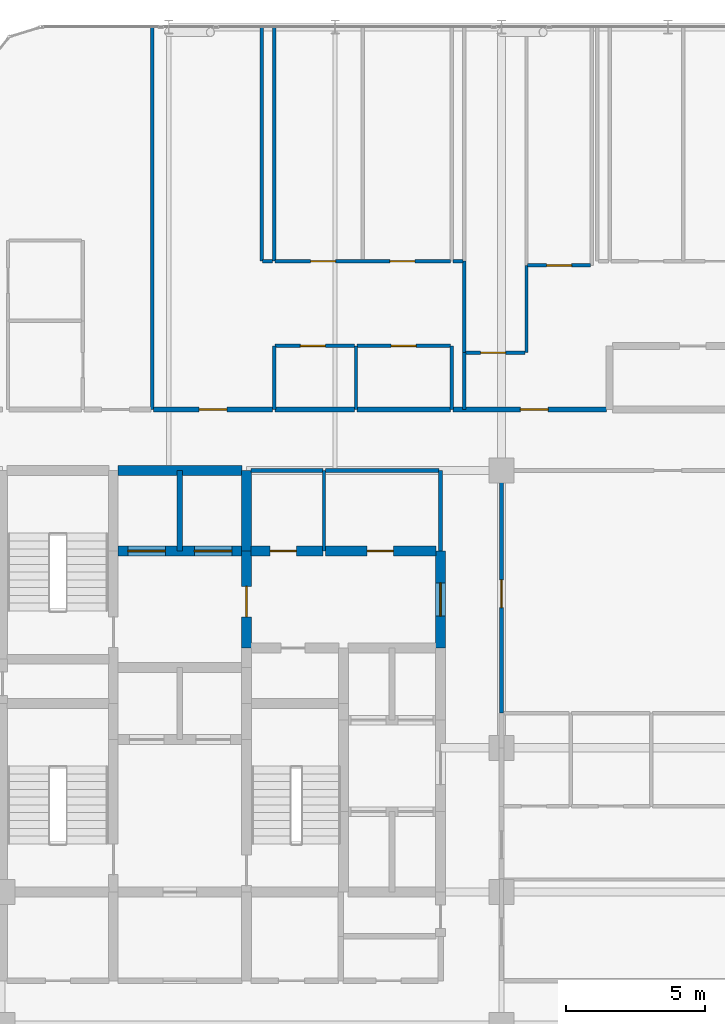
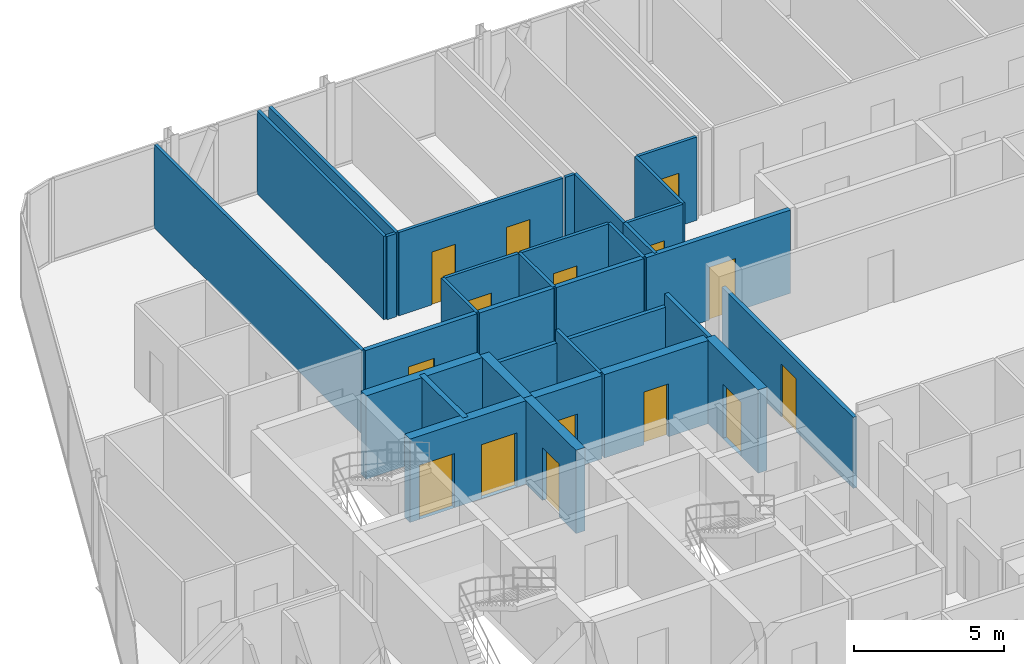
# One storey, part 29 of 32: 33 walls, 15 doors, 15 openings.
"""IFC4 building model written with IfcOpenShell, lengths in metres."""

import ifcopenshell
import ifcopenshell.guid

model = None  # the IFC model being written
_history = None  # IfcOwnerHistory: only IFC2X3 demands one
_inside = {}  # id of a spatial element -> (the spatial element, [elements in it])
_under = {}  # id of a project, library or spatial element -> (it, [spatial elements below it])
_declared = {}  # id of a project -> (the project, [libraries it declares])
_typed = {}  # id of a type object -> (the type object, [elements of that type])
_made_of = {}  # id of a material, layer set ... -> (it, [elements and type objects made of it])


def new_model(schema):
    """Start an empty IFC model of exactly this schema.

    Asked for "IFC4X3", IfcOpenShell would pick the latest addendum, in which some entities
    have other attributes; the version numbers below select the first issue.
    IFC2X3 requires an IfcOwnerHistory on every rooted entity: one is made here for all.
    """
    global model, _history
    if schema == "IFC4X3":
        model = ifcopenshell.file(schema_version=(4, 3, 0, 0))
    else:
        model = ifcopenshell.file(schema=schema)
    _inside.clear()
    _under.clear()
    _declared.clear()
    _typed.clear()
    _made_of.clear()
    _history = None
    if model.schema == "IFC2X3":
        org = make("IfcOrganization", Name="unknown")
        user = make(
            "IfcPersonAndOrganization",
            ThePerson=make("IfcPerson", FamilyName="unknown"),
            TheOrganization=org,
        )
        app = make(
            "IfcApplication",
            ApplicationDeveloper=org,
            Version="unknown",
            ApplicationFullName="unknown",
            ApplicationIdentifier="unknown",
        )
        _history = make(
            "IfcOwnerHistory",
            OwningUser=user,
            OwningApplication=app,
            ChangeAction="ADDED",
            CreationDate=0,
        )
    return model


def make(cls, **values):
    """One entity of the class cls with the attributes given. An attribute that is None is left unset."""
    return model.create_entity(
        cls, **{name: value for name, value in values.items() if value is not None}
    )


def rooted(cls, **values):
    """An entity with a GlobalId (a new one), such as an element, a storey or a relation."""
    return make(cls, GlobalId=ifcopenshell.guid.new(), OwnerHistory=_history, **values)


def si_unit(unit_type, name, prefix=None):
    """IfcSIUnit, for example si_unit("LENGTHUNIT", "METRE", prefix="MILLI")."""
    return make("IfcSIUnit", UnitType=unit_type, Prefix=prefix, Name=name)


def assignment(units):
    """IfcUnitAssignment: the units of a project."""
    return None if units is None else make("IfcUnitAssignment", Units=units)


def point(xyz):
    """IfcCartesianPoint."""
    return None if xyz is None else make("IfcCartesianPoint", Coordinates=xyz)


def direction(xyz):
    """IfcDirection."""
    return None if xyz is None else make("IfcDirection", DirectionRatios=xyz)


def frame(location, z_axis=None, x_axis=None):
    """IfcAxis2Placement3D, a coordinate frame: its origin and axes. An axis left out is left unset."""
    return make(
        "IfcAxis2Placement3D",
        Location=point(location),
        Axis=direction(z_axis),
        RefDirection=direction(x_axis),
    )


def frame_2d(location, x_axis=None):
    """IfcAxis2Placement2D, a coordinate frame in the plane: its origin and x axis."""
    return make(
        "IfcAxis2Placement2D", Location=point(location), RefDirection=direction(x_axis)
    )


def origin():
    """The frame at (0, 0, 0) with its axes left unset."""
    return frame((0.0, 0.0, 0.0))


def place(relative_to, where):
    """IfcLocalPlacement: puts the frame where relative to a parent placement (None: the world)."""
    return make(
        "IfcLocalPlacement", PlacementRelTo=relative_to, RelativePlacement=where
    )


def context(
    kind, dimensions, precision=None, world=None, true_north=None, identifier=None
):
    """IfcGeometricRepresentationContext, for example the 3D "Model" context."""
    return make(
        "IfcGeometricRepresentationContext",
        ContextIdentifier=identifier,
        ContextType=kind,
        CoordinateSpaceDimension=dimensions,
        Precision=precision,
        WorldCoordinateSystem=world,
        TrueNorth=true_north,
    )


def subcontext(parent, identifier, kind, view, scale=None):
    """IfcGeometricRepresentationSubContext, for example "Body" below "Model"."""
    return make(
        "IfcGeometricRepresentationSubContext",
        ContextIdentifier=identifier,
        ContextType=kind,
        ParentContext=parent,
        TargetScale=scale,
        TargetView=view,
    )


def project(units=None, contexts=None):
    """IfcProject with its units and contexts."""
    return rooted(
        "IfcProject",
        Name="project",
        RepresentationContexts=contexts,
        UnitsInContext=assignment(units),
    )


def spatial(cls, under=None, at=None, **own):
    """A site, building, storey or space (cls), placed at a placement, below another one or the project."""
    s = rooted(cls, ObjectPlacement=at, **own)
    if under is not None:
        _under.setdefault(under.id(), (under, []))[1].append(s)
    return s


def profile(cls, at=None, kind="AREA", **sizes):
    """A parametric profile (cls). Its sizes go by their IFC names, for example OverallWidth=200.0."""
    return make(cls, ProfileType=kind, Position=at, **sizes)


def rectangle(**sizes):
    """IfcRectangleProfileDef."""
    return profile("IfcRectangleProfileDef", **sizes)


def extrude(swept, where, along, depth):
    """IfcExtrudedAreaSolid: the profile swept, set in the frame where, extruded along a direction by depth."""
    return make(
        "IfcExtrudedAreaSolid",
        SweptArea=swept,
        Position=where,
        ExtrudedDirection=direction(along),
        Depth=depth,
    )


def shape(context_of_items, identifier, shape_type, items):
    """IfcShapeRepresentation: the items that make up one representation, for example the "Body"."""
    return make(
        "IfcShapeRepresentation",
        ContextOfItems=context_of_items,
        RepresentationIdentifier=identifier,
        RepresentationType=shape_type,
        Items=items,
    )


def material(Name=None, Category=None):
    """IfcMaterial."""
    return make("IfcMaterial", Name=Name, Category=Category)


def layer(
    of_material, thickness, ventilated=None, Name=None, Category=None, Priority=None
):
    """IfcMaterialLayer: one layer of a wall or slab, of a material (None: an air gap)."""
    return make(
        "IfcMaterialLayer",
        Material=of_material,
        LayerThickness=thickness,
        IsVentilated=ventilated,
        Name=Name,
        Category=Category,
        Priority=Priority,
    )


def layer_set(layers, Name=None):
    """IfcMaterialLayerSet."""
    return make("IfcMaterialLayerSet", MaterialLayers=layers, LayerSetName=Name)


def made_of(thing, what):
    """Note that an element or type object is made of a material, layer set ...; save() writes the relation."""
    if what is not None:
        _made_of.setdefault(what.id(), (what, []))[1].append(thing)
    return thing


def type_object(cls, material=None, **own):
    """A type object (cls), such as IfcWallType, which elements share."""
    return made_of(rooted(cls, **own), material)


def element(
    cls,
    number,
    at=None,
    inside=None,
    cuts=None,
    type_object=None,
    material=None,
    context=None,
    identifier="Body",
    shape_type=None,
    held_by="IfcProductDefinitionShape",
    body=None,
    shapes=None,
    **own,
):
    """One element of the class cls, such as IfcWall. Its Tag is "e" and its number.

    at: its placement. inside: the storey or other place that contains it. cuts: it is an
    opening in that element (IfcRelVoidsElement). A single representation is given by context,
    identifier, shape_type and body (its items); several are given by shapes. held_by: the class
    of the entity that holds the representations. save() writes the other relations.
    """
    e = rooted(cls, Tag="e%d" % number, ObjectPlacement=at, **own)
    if body is not None:
        shapes = [shape(context, identifier, shape_type, body)]
    if shapes is not None:
        e.Representation = make(held_by, Representations=shapes)
    if inside is not None:
        _inside.setdefault(inside.id(), (inside, []))[1].append(e)
    if cuts is not None:
        rooted(
            "IfcRelVoidsElement", RelatingBuildingElement=cuts, RelatedOpeningElement=e
        )
    if type_object is not None:
        _typed.setdefault(type_object.id(), (type_object, []))[1].append(e)
    return made_of(e, material)


def fill(opening, filler):
    """IfcRelFillsElement: the door or window that sits in an opening."""
    return rooted(
        "IfcRelFillsElement",
        RelatingOpeningElement=opening,
        RelatedBuildingElement=filler,
    )


def aggregate(whole, parts):
    """IfcRelAggregates: a whole, such as a stair, and the parts it consists of."""
    return rooted("IfcRelAggregates", RelatingObject=whole, RelatedObjects=parts)


def save(model, path):
    """Write the relations noted so far, then the file.

    IfcRelAggregates (storeys below a building ...), IfcRelContainedInSpatialStructure (elements
    in a storey), IfcRelDefinesByType, IfcRelAssociatesMaterial and IfcRelDeclares: one each for
    every whole, place, type object, material and project.
    """
    for whole, parts in _under.values():
        aggregate(whole, parts)
    for where, things in _inside.values():
        rooted(
            "IfcRelContainedInSpatialStructure",
            RelatedElements=things,
            RelatingStructure=where,
        )
    for kind, things in _typed.values():
        rooted("IfcRelDefinesByType", RelatedObjects=things, RelatingType=kind)
    for what, things in _made_of.values():
        rooted("IfcRelAssociatesMaterial", RelatedObjects=things, RelatingMaterial=what)
    for by, libraries in _declared.values():
        rooted("IfcRelDeclares", RelatingContext=by, RelatedDefinitions=libraries)
    model.write(path)


model = new_model("IFC4")

# Units and contexts
model_context = context("Model", 3, precision=1e-05, world=origin(), true_north=direction((0.0, 1.0)))
body_context = subcontext(model_context, "Body", "Model", "MODEL_VIEW")
ifc_project = project(units=[si_unit("LENGTHUNIT", "METRE"), si_unit("AREAUNIT", "SQUARE_METRE"), si_unit("VOLUMEUNIT", "CUBIC_METRE"), si_unit("PLANEANGLEUNIT", "RADIAN"), si_unit("MASSUNIT", "GRAM", prefix="KILO")], contexts=[model_context])

# Site, building, storey
site_placement = place(None, origin())
site = spatial("IfcSite", under=ifc_project, at=site_placement, CompositionType="ELEMENT")
building_placement = place(site_placement, origin())
building = spatial("IfcBuilding", under=site, at=building_placement, Name="Keshet Zoharim Tower", CompositionType="ELEMENT")
storey_placement = place(building_placement, frame((0.0, 0.0, 137.199951171875)))
storey = spatial("IfcBuildingStorey", under=building, at=storey_placement, Name="L33", CompositionType="ELEMENT", Elevation=137.199951171875)

# Wall
ifc_material_1 = material(Name="Gypsum Plasterboard", Category="gypsum")
ifc_layer_1 = layer(ifc_material_1, 0.14990234375)
ifc_layer_set_1 = layer_set([ifc_layer_1], Name="Gypsum Plasterboard")
wall_type_1 = type_object("IfcWallType", Name="WL-CLIN-150", PredefinedType="STANDARD", material=ifc_layer_set_1)
wall_1_placement = place(storey_placement, frame((30.800048828125, 35.0, 0.0), z_axis=(0.0, 0.0, 1.0), x_axis=(0.0, 1.0, 0.0)))
element("IfcWall", 1, at=wall_1_placement, inside=storey, type_object=wall_type_1, Name="L33 Interior Wall 064", PredefinedType="STANDARD", context=body_context, shape_type="SweptSolid", body=[
    extrude(rectangle(XDim=2.89990234375, YDim=0.14990234375, at=frame_2d((1.449951171875, 0.0))), origin(), (0.0, 0.0, 1.0), 3.385009765625),
])

# Wall, opening, door
wall_2_placement = place(storey_placement, frame((33.0, 29.159912109375, 0.0), z_axis=(0.0, 0.0, 1.0), x_axis=(0.0, 1.0, 0.0)))
wall_2 = element("IfcWall", 2, at=wall_2_placement, inside=storey, type_object=wall_type_1, Name="L33 Interior Wall 074", PredefinedType="STANDARD", context=body_context, shape_type="SweptSolid", body=[
    extrude(rectangle(XDim=8.739990234375, YDim=0.14990234375, at=frame_2d((4.3701171875, 0.0))), origin(), (0.0, 0.0, 1.0), 2.885009765625),
])
opening_1_placement = place(wall_2_placement, frame((3.799072265625, 0.0, 0.0)))
opening_1 = element("IfcOpeningElement", 3, at=opening_1_placement, cuts=wall_2, Name="Opening D-F310", PredefinedType="OPENING", context=body_context, shape_type="SweptSolid", body=[
    extrude(rectangle(XDim=1.0, YDim=2.14990234375, at=frame_2d((0.5, 1.074951171875))), frame((0.0, 0.0849609375, 0.0), z_axis=(0.0, -1.0, 0.0), x_axis=(1.0, 0.0, 0.0)), (0.0, 0.0, 1.0), 0.169921875),
])
ifc_material_2 = material(Name="Hardwood Timber", Category="wood")
door_type_1 = type_object("IfcDoorType", Name="DR-FD30-100", OperationType="NOTDEFINED", PredefinedType="DOOR", material=ifc_material_2)
door_1_placement = place(opening_1_placement, origin())
door_1 = element("IfcDoor", 4, at=door_1_placement, inside=storey, type_object=door_type_1, Name="L33 North East Residents Services Suite Door 2", OperationType="SINGLE_SWING_RIGHT", OverallHeight=2.14990234375, OverallWidth=1.0, PredefinedType="DOOR", context=body_context, shape_type="SweptSolid", body=[
    extrude(rectangle(XDim=1.0, YDim=2.14990234375, at=frame_2d((0.5, 1.074951171875))), frame((0.0, 0.02490234375, 0.0), z_axis=(0.0, -1.0, 0.0), x_axis=(1.0, 0.0, 0.0)), (0.0, 0.0, 1.0), 0.050048828125),
])
fill(opening_1, door_1)

# Walls
wall_3_placement = place(storey_placement, frame((23.9599609375, 37.89990234375, 0.0), z_axis=(0.0, 0.0, 1.0), x_axis=(1.0, 0.0, 0.0)))
element("IfcWall", 5, at=wall_3_placement, inside=storey, type_object=wall_type_1, Name="L33 Interior Wall 189", PredefinedType="STANDARD", context=body_context, shape_type="SweptSolid", body=[
    extrude(rectangle(XDim=2.594970703125, YDim=0.14990234375, at=frame_2d((1.29736328125, 0.0))), origin(), (0.0, 0.0, 1.0), 2.885009765625),
])
wall_4_placement = place(storey_placement, frame((26.64501953125, 37.89990234375, 0.0), z_axis=(0.0, 0.0, 1.0), x_axis=(1.0, 0.0, 0.0)))
element("IfcWall", 6, at=wall_4_placement, inside=storey, type_object=wall_type_1, Name="L33 Interior Wall 190", PredefinedType="STANDARD", context=body_context, shape_type="SweptSolid", body=[
    extrude(rectangle(XDim=4.094970703125, YDim=0.14990234375, at=frame_2d((2.04736328125, 0.0))), origin(), (0.0, 0.0, 1.0), 2.885009765625),
])

# Wall, opening, door
ifc_material_3 = material(Name="Concrete C60/75", Category="concrete")
ifc_layer_2 = layer(ifc_material_3, 0.35009765625)
ifc_layer_set_2 = layer_set([ifc_layer_2], Name="Concrete C60/75")
wall_type_2 = type_object("IfcWallType", Name="WL-CORE-350", PredefinedType="SHEAR", material=ifc_layer_set_2)
wall_5_placement = place(storey_placement, frame((23.800048828125, 31.5, 0.0), z_axis=(0.0, 0.0, 1.0), x_axis=(0.0, 1.0, 0.0)))
wall_5 = element("IfcWall", 7, at=wall_5_placement, inside=storey, type_object=wall_type_2, Name="L33 Core Shear Wall 039", PredefinedType="SHEAR", context=body_context, shape_type="SweptSolid", body=[
    extrude(rectangle(XDim=3.5, YDim=0.35009765625, at=frame_2d((1.75, 0.0))), origin(), (0.0, 0.0, 1.0), 3.385009765625),
])
opening_2_placement = place(wall_5_placement, frame((1.126953125, 0.0, 0.0)))
opening_2 = element("IfcOpeningElement", 8, at=opening_2_placement, cuts=wall_5, Name="Opening D-F611", PredefinedType="OPENING", context=body_context, shape_type="SweptSolid", body=[
    extrude(rectangle(XDim=1.10009765625, YDim=2.14990234375, at=frame_2d((0.550048828125, 1.074951171875))), frame((0.0, 0.18505859375, 0.0), z_axis=(0.0, -1.0, 0.0), x_axis=(1.0, 0.0, 0.0)), (0.0, 0.0, 1.0), 0.3701171875),
])
door_type_2 = type_object("IfcDoorType", Name="DR-FD60-110", OperationType="NOTDEFINED", PredefinedType="DOOR", material=ifc_material_2)
door_2_placement = place(opening_2_placement, origin())
door_2 = element("IfcDoor", 9, at=door_2_placement, inside=storey, type_object=door_type_2, Name="L33 Firefighting Lobby Fire Door", OperationType="SINGLE_SWING_RIGHT", OverallHeight=2.14990234375, OverallWidth=1.10009765625, PredefinedType="DOOR", context=body_context, shape_type="SweptSolid", body=[
    extrude(rectangle(XDim=1.10009765625, YDim=2.14990234375, at=frame_2d((0.550048828125, 1.074951171875))), frame((0.0, 0.02490234375, 0.0), z_axis=(0.0, -1.0, 0.0), x_axis=(1.0, 0.0, 0.0)), (0.0, 0.0, 1.0), 0.050048828125),
])
fill(opening_2, door_2)

# Wall
wall_6_placement = place(storey_placement, frame((23.800048828125, 35.0, 0.0), z_axis=(0.0, 0.0, 1.0), x_axis=(0.0, 1.0, 0.0)))
element("IfcWall", 10, at=wall_6_placement, inside=storey, type_object=wall_type_2, Name="L33 Core Shear Wall 040", PredefinedType="SHEAR", context=body_context, shape_type="SweptSolid", body=[
    extrude(rectangle(XDim=2.89990234375, YDim=0.35009765625, at=frame_2d((1.449951171875, 0.0))), origin(), (0.0, 0.0, 1.0), 3.385009765625),
])

# Wall, opening, door
wall_7_placement = place(storey_placement, frame((30.800048828125, 31.5, 0.0), z_axis=(0.0, 0.0, 1.0), x_axis=(0.0, 1.0, 0.0)))
wall_7 = element("IfcWall", 11, at=wall_7_placement, inside=storey, type_object=wall_type_2, Name="L33 Core Shear Wall 063", PredefinedType="SHEAR", context=body_context, shape_type="SweptSolid", body=[
    extrude(rectangle(XDim=3.5, YDim=0.35009765625, at=frame_2d((1.75, 0.0))), origin(), (0.0, 0.0, 1.0), 3.385009765625),
])
opening_3_placement = place(wall_7_placement, frame((1.14990234375, 0.0, 0.0)))
opening_3 = element("IfcOpeningElement", 12, at=opening_3_placement, cuts=wall_7, Name="Opening D-F612", PredefinedType="OPENING", context=body_context, shape_type="SweptSolid", body=[
    extrude(rectangle(XDim=1.199951171875, YDim=2.199951171875, at=frame_2d((0.60009765625, 1.10009765625))), frame((0.0, 0.18505859375, 0.0), z_axis=(0.0, -1.0, 0.0), x_axis=(1.0, 0.0, 0.0)), (0.0, 0.0, 1.0), 0.3701171875),
])
door_type_3 = type_object("IfcDoorType", Name="DR-FD60-120", OperationType="NOTDEFINED", PredefinedType="DOOR", material=ifc_material_2)
door_3_placement = place(opening_3_placement, origin())
door_3 = element("IfcDoor", 13, at=door_3_placement, inside=storey, type_object=door_type_3, Name="L33 North Lift Lobby East Fire Door", OperationType="SINGLE_SWING_LEFT", OverallHeight=2.199951171875, OverallWidth=1.199951171875, PredefinedType="DOOR", context=body_context, shape_type="SweptSolid", body=[
    extrude(rectangle(XDim=1.199951171875, YDim=2.199951171875, at=frame_2d((0.60009765625, 1.10009765625))), frame((0.0, 0.02490234375, 0.0), z_axis=(0.0, -1.0, 0.0), x_axis=(1.0, 0.0, 0.0)), (0.0, 0.0, 1.0), 0.050048828125),
])
fill(opening_3, door_3)

# Wall, openings, doors
wall_8_placement = place(storey_placement, frame((19.159912109375, 35.0, 0.0), z_axis=(0.0, 0.0, 1.0), x_axis=(1.0, 0.0, 0.0)))
wall_8 = element("IfcWall", 14, at=wall_8_placement, inside=storey, type_object=wall_type_2, Name="L33 Core Shear Wall 184", PredefinedType="SHEAR", context=body_context, shape_type="SweptSolid", body=[
    extrude(rectangle(XDim=4.47998046875, YDim=0.35009765625, at=frame_2d((2.239990234375, 0.0))), origin(), (0.0, 0.0, 1.0), 3.385009765625),
])
opening_4_placement = place(wall_8_placement, frame((0.364990234375, 0.0, 0.0)))
opening_4 = element("IfcOpeningElement", 15, at=opening_4_placement, cuts=wall_8, Name="Opening LD-02", PredefinedType="OPENING", context=body_context, shape_type="SweptSolid", body=[
    extrude(rectangle(XDim=1.35009765625, YDim=2.199951171875, at=frame_2d((0.675048828125, 1.10009765625))), frame((0.0, 0.18505859375, 0.0), z_axis=(0.0, -1.0, 0.0), x_axis=(1.0, 0.0, 0.0)), (0.0, 0.0, 1.0), 0.3701171875),
])
opening_5_placement = place(wall_8_placement, frame((2.764892578125, 0.0, 0.0)))
opening_5 = element("IfcOpeningElement", 16, at=opening_5_placement, cuts=wall_8, Name="Opening LD-02", PredefinedType="OPENING", context=body_context, shape_type="SweptSolid", body=[
    extrude(rectangle(XDim=1.35009765625, YDim=2.199951171875, at=frame_2d((0.675048828125, 1.10009765625))), frame((0.0, 0.18505859375, 0.0), z_axis=(0.0, -1.0, 0.0), x_axis=(1.0, 0.0, 0.0)), (0.0, 0.0, 1.0), 0.3701171875),
])
ifc_material_4 = material(Name="Steel S355", Category="steel")
door_type_4 = type_object("IfcDoorType", Name="DR-LD02-135", OperationType="DOUBLE_DOOR_SLIDING", PredefinedType="DOOR", material=ifc_material_4)
door_4_placement = place(opening_4_placement, origin())
door_4 = element("IfcDoor", 17, at=door_4_placement, inside=storey, type_object=door_type_4, Name="L33 Firefighting Lift Landing Door FF-01", OperationType="DOUBLE_DOOR_SLIDING", OverallHeight=2.199951171875, OverallWidth=1.35009765625, PredefinedType="DOOR", context=body_context, shape_type="SweptSolid", body=[
    extrude(rectangle(XDim=1.35009765625, YDim=2.199951171875, at=frame_2d((0.675048828125, 1.10009765625))), frame((0.0, 0.02490234375, 0.0), z_axis=(0.0, -1.0, 0.0), x_axis=(1.0, 0.0, 0.0)), (0.0, 0.0, 1.0), 0.050048828125),
])
fill(opening_4, door_4)
door_5_placement = place(opening_5_placement, origin())
door_5 = element("IfcDoor", 18, at=door_5_placement, inside=storey, type_object=door_type_4, Name="L33 Firefighting Lift Landing Door FF-02", OperationType="DOUBLE_DOOR_SLIDING", OverallHeight=2.199951171875, OverallWidth=1.35009765625, PredefinedType="DOOR", context=body_context, shape_type="SweptSolid", body=[
    extrude(rectangle(XDim=1.35009765625, YDim=2.199951171875, at=frame_2d((0.675048828125, 1.10009765625))), frame((0.0, 0.02490234375, 0.0), z_axis=(0.0, -1.0, 0.0), x_axis=(1.0, 0.0, 0.0)), (0.0, 0.0, 1.0), 0.050048828125),
])
fill(opening_5, door_5)

# Wall, opening, door
wall_9_placement = place(storey_placement, frame((23.9599609375, 35.0, 0.0), z_axis=(0.0, 0.0, 1.0), x_axis=(1.0, 0.0, 0.0)))
wall_9 = element("IfcWall", 19, at=wall_9_placement, inside=storey, type_object=wall_type_2, Name="L33 Core Shear Wall 185", PredefinedType="SHEAR", context=body_context, shape_type="SweptSolid", body=[
    extrude(rectangle(XDim=2.594970703125, YDim=0.35009765625, at=frame_2d((1.29736328125, 0.0))), origin(), (0.0, 0.0, 1.0), 3.385009765625),
])
opening_6_placement = place(wall_9_placement, frame((0.69091796875, 0.0, 0.0)))
opening_6 = element("IfcOpeningElement", 20, at=opening_6_placement, cuts=wall_9, Name="Opening D-F695", PredefinedType="OPENING", context=body_context, shape_type="SweptSolid", body=[
    extrude(rectangle(XDim=0.949951171875, YDim=2.14990234375, at=frame_2d((0.47509765625, 1.074951171875))), frame((0.0, 0.18505859375, 0.0), z_axis=(0.0, -1.0, 0.0), x_axis=(1.0, 0.0, 0.0)), (0.0, 0.0, 1.0), 0.3701171875),
])
door_type_5 = type_object("IfcDoorType", Name="DR-FD60-095", OperationType="NOTDEFINED", PredefinedType="DOOR", material=ifc_material_2)
door_6_placement = place(opening_6_placement, frame((0.949951171875, 0.0, 0.0), z_axis=(0.0, 0.0, 1.0), x_axis=(-1.0, 0.0, 0.0)))
door_6 = element("IfcDoor", 21, at=door_6_placement, inside=storey, type_object=door_type_5, Name="L33 Laundry Room Door", OperationType="SINGLE_SWING_LEFT", OverallHeight=2.14990234375, OverallWidth=0.949951171875, PredefinedType="DOOR", context=body_context, shape_type="SweptSolid", body=[
    extrude(rectangle(XDim=0.949951171875, YDim=2.14990234375, at=frame_2d((0.47509765625, 1.074951171875))), frame((0.0, 0.02490234375, 0.0), z_axis=(0.0, -1.0, 0.0), x_axis=(1.0, 0.0, 0.0)), (0.0, 0.0, 1.0), 0.050048828125),
])
fill(opening_6, door_6)

wall_10_placement = place(storey_placement, frame((26.64501953125, 35.0, 0.0), z_axis=(0.0, 0.0, 1.0), x_axis=(1.0, 0.0, 0.0)))
wall_10 = element("IfcWall", 22, at=wall_10_placement, inside=storey, type_object=wall_type_2, Name="L33 Core Shear Wall 186", PredefinedType="SHEAR", context=body_context, shape_type="SweptSolid", body=[
    extrude(rectangle(XDim=3.994873046875, YDim=0.35009765625, at=frame_2d((1.99755859375, 0.0))), origin(), (0.0, 0.0, 1.0), 3.385009765625),
])
opening_7_placement = place(wall_10_placement, frame((1.508056640625, 0.0, 0.0)))
opening_7 = element("IfcOpeningElement", 23, at=opening_7_placement, cuts=wall_10, Name="Opening D-F695", PredefinedType="OPENING", context=body_context, shape_type="SweptSolid", body=[
    extrude(rectangle(XDim=0.949951171875, YDim=2.14990234375, at=frame_2d((0.47509765625, 1.074951171875))), frame((0.0, 0.18505859375, 0.0), z_axis=(0.0, -1.0, 0.0), x_axis=(1.0, 0.0, 0.0)), (0.0, 0.0, 1.0), 0.3701171875),
])
door_7_placement = place(opening_7_placement, frame((0.949951171875, 0.0, 0.0), z_axis=(0.0, 0.0, 1.0), x_axis=(-1.0, 0.0, 0.0)))
door_7 = element("IfcDoor", 24, at=door_7_placement, inside=storey, type_object=door_type_5, Name="L33 Quiet Study Room Door", OperationType="SINGLE_SWING_RIGHT", OverallHeight=2.14990234375, OverallWidth=0.949951171875, PredefinedType="DOOR", context=body_context, shape_type="SweptSolid", body=[
    extrude(rectangle(XDim=0.949951171875, YDim=2.14990234375, at=frame_2d((0.47509765625, 1.074951171875))), frame((0.0, 0.02490234375, 0.0), z_axis=(0.0, -1.0, 0.0), x_axis=(1.0, 0.0, 0.0)), (0.0, 0.0, 1.0), 0.050048828125),
])
fill(opening_7, door_7)

# Wall
wall_11_placement = place(storey_placement, frame((19.159912109375, 37.89990234375, 0.0), z_axis=(0.0, 0.0, 1.0), x_axis=(1.0, 0.0, 0.0)))
element("IfcWall", 25, at=wall_11_placement, inside=storey, type_object=wall_type_2, Name="L33 Core Shear Wall 188", PredefinedType="SHEAR", context=body_context, shape_type="SweptSolid", body=[
    extrude(rectangle(XDim=4.47998046875, YDim=0.35009765625, at=frame_2d((2.239990234375, 0.0))), origin(), (0.0, 0.0, 1.0), 3.385009765625),
])

# Wall, opening, door
ifc_layer_3 = layer(ifc_material_1, 0.179931640625)
ifc_layer_set_3 = layer_set([ifc_layer_3], Name="Gypsum Plasterboard")
wall_type_3 = type_object("IfcWallType", Name="WL-CORR-180", PredefinedType="STANDARD", material=ifc_layer_set_3)
wall_12_placement = place(storey_placement, frame((20.445068359375, 40.10009765625, 0.0), z_axis=(0.0, 0.0, 1.0), x_axis=(1.0, 0.0, 0.0)))
wall_12 = element("IfcWall", 26, at=wall_12_placement, inside=storey, type_object=wall_type_3, Name="L33 Interior Wall 197", PredefinedType="STANDARD", context=body_context, shape_type="SweptSolid", body=[
    extrude(rectangle(XDim=4.300048828125, YDim=0.179931640625, at=frame_2d((2.14990234375, 0.0))), origin(), (0.0, 0.0, 1.0), 3.385009765625),
])
opening_8_placement = place(wall_12_placement, frame((1.64990234375, 0.0, 0.0)))
opening_8 = element("IfcOpeningElement", 27, at=opening_8_placement, cuts=wall_12, Name="Opening D-F310", PredefinedType="OPENING", context=body_context, shape_type="SweptSolid", body=[
    extrude(rectangle(XDim=1.0, YDim=2.14990234375, at=frame_2d((0.5, 1.074951171875))), frame((0.0, 0.10009765625, 0.0), z_axis=(0.0, -1.0, 0.0), x_axis=(1.0, 0.0, 0.0)), (0.0, 0.0, 1.0), 0.199951171875),
])
door_8_placement = place(opening_8_placement, origin())
door_8 = element("IfcDoor", 28, at=door_8_placement, inside=storey, type_object=door_type_1, Name="Apartment 3305 Entrance Door", OperationType="SINGLE_SWING_LEFT", OverallHeight=2.14990234375, OverallWidth=1.0, PredefinedType="DOOR", context=body_context, shape_type="SweptSolid", body=[
    extrude(rectangle(XDim=1.0, YDim=2.14990234375, at=frame_2d((0.5, 1.074951171875))), frame((0.0, 0.02490234375, 0.0), z_axis=(0.0, -1.0, 0.0), x_axis=(1.0, 0.0, 0.0)), (0.0, 0.0, 1.0), 0.050048828125),
])
fill(opening_8, door_8)

# Walls
wall_13_placement = place(storey_placement, frame((24.8349609375, 40.10009765625, 0.0), z_axis=(0.0, 0.0, 1.0), x_axis=(1.0, 0.0, 0.0)))
element("IfcWall", 29, at=wall_13_placement, inside=storey, type_object=wall_type_3, Name="L33 Interior Wall 198", PredefinedType="STANDARD", context=body_context, shape_type="SweptSolid", body=[
    extrude(rectangle(XDim=2.859130859375, YDim=0.179931640625, at=frame_2d((1.4296875, 0.0))), origin(), (0.0, 0.0, 1.0), 3.385009765625),
])
wall_14_placement = place(storey_placement, frame((27.783935546875, 40.10009765625, 0.0), z_axis=(0.0, 0.0, 1.0), x_axis=(1.0, 0.0, 0.0)))
element("IfcWall", 30, at=wall_14_placement, inside=storey, type_object=wall_type_3, Name="L33 Interior Wall 199", PredefinedType="STANDARD", context=body_context, shape_type="SweptSolid", body=[
    extrude(rectangle(XDim=3.37109375, YDim=0.179931640625, at=frame_2d((1.685546875, 0.0))), origin(), (0.0, 0.0, 1.0), 3.385009765625),
])

# Wall, opening, door
wall_15_placement = place(storey_placement, frame((31.2451171875, 40.10009765625, 0.0), z_axis=(0.0, 0.0, 1.0), x_axis=(1.0, 0.0, 0.0)))
wall_15 = element("IfcWall", 31, at=wall_15_placement, inside=storey, type_object=wall_type_3, Name="L33 Interior Wall 200", PredefinedType="STANDARD", context=body_context, shape_type="SweptSolid", body=[
    extrude(rectangle(XDim=5.544921875, YDim=0.179931640625, at=frame_2d((2.7724609375, 0.0))), origin(), (0.0, 0.0, 1.0), 3.385009765625),
])
opening_9_placement = place(wall_15_placement, frame((2.43505859375, 0.0, 0.0)))
opening_9 = element("IfcOpeningElement", 32, at=opening_9_placement, cuts=wall_15, Name="Opening D-F310", PredefinedType="OPENING", context=body_context, shape_type="SweptSolid", body=[
    extrude(rectangle(XDim=1.0, YDim=2.14990234375, at=frame_2d((0.5, 1.074951171875))), frame((0.0, 0.10009765625, 0.0), z_axis=(0.0, -1.0, 0.0), x_axis=(1.0, 0.0, 0.0)), (0.0, 0.0, 1.0), 0.199951171875),
])
door_9_placement = place(opening_9_placement, origin())
door_9 = element("IfcDoor", 33, at=door_9_placement, inside=storey, type_object=door_type_1, Name="Apartment 3306 Entrance Door", OperationType="SINGLE_SWING_RIGHT", OverallHeight=2.14990234375, OverallWidth=1.0, PredefinedType="DOOR", context=body_context, shape_type="SweptSolid", body=[
    extrude(rectangle(XDim=1.0, YDim=2.14990234375, at=frame_2d((0.5, 1.074951171875))), frame((0.0, 0.02490234375, 0.0), z_axis=(0.0, -1.0, 0.0), x_axis=(1.0, 0.0, 0.0)), (0.0, 0.0, 1.0), 0.050048828125),
])
fill(opening_9, door_9)

# Walls
ifc_material_5 = material(Name="Concrete C50/60", Category="concrete")
ifc_layer_4 = layer(ifc_material_5, 0.199951171875)
ifc_layer_set_4 = layer_set([ifc_layer_4], Name="Concrete C50/60")
wall_type_4 = type_object("IfcWallType", Name="WL-FIRE-200", PredefinedType="STANDARD", material=ifc_layer_set_4)
wall_16_placement = place(storey_placement, frame((21.39990234375, 35.0, 0.0), z_axis=(0.0, 0.0, 1.0), x_axis=(0.0, 1.0, 0.0)))
element("IfcWall", 34, at=wall_16_placement, inside=storey, type_object=wall_type_4, Name="L33 Interior Wall 033", PredefinedType="STANDARD", context=body_context, shape_type="SweptSolid", body=[
    extrude(rectangle(XDim=2.89990234375, YDim=0.199951171875, at=frame_2d((1.449951171875, 0.0))), origin(), (0.0, 0.0, 1.0), 3.385009765625),
])
ifc_layer_5 = layer(ifc_material_1, 0.1201171875)
ifc_layer_set_5 = layer_set([ifc_layer_5], Name="Gypsum Plasterboard")
wall_type_5 = type_object("IfcWallType", Name="WL-PART-120", PredefinedType="PARTITIONING", material=ifc_layer_set_5)
wall_17_placement = place(storey_placement, frame((20.39990234375, 40.10009765625, 0.0), z_axis=(0.0, 0.0, 1.0), x_axis=(0.0, 1.0, 0.0)))
element("IfcWall", 35, at=wall_17_placement, inside=storey, type_object=wall_type_5, Name="L33 Interior Wall 030", PredefinedType="PARTITIONING", context=body_context, shape_type="SweptSolid", body=[
    extrude(rectangle(XDim=13.789794921875, YDim=0.1201171875, at=frame_2d((6.89501953125, 0.0))), origin(), (0.0, 0.0, 1.0), 3.385009765625),
])
wall_18_placement = place(storey_placement, frame((24.35009765625, 45.449951171875, 0.0), z_axis=(0.0, 0.0, 1.0), x_axis=(0.0, 1.0, 0.0)))
element("IfcWall", 36, at=wall_18_placement, inside=storey, type_object=wall_type_5, Name="L33 Interior Wall 041", PredefinedType="PARTITIONING", context=body_context, shape_type="SweptSolid", body=[
    extrude(rectangle(XDim=8.43994140625, YDim=0.1201171875, at=frame_2d((4.219970703125, 0.0))), origin(), (0.0, 0.0, 1.0), 3.385009765625),
])
wall_19_placement = place(storey_placement, frame((24.800048828125, 40.10009765625, 0.0), z_axis=(0.0, 0.0, 1.0), x_axis=(0.0, 1.0, 0.0)))
element("IfcWall", 37, at=wall_19_placement, inside=storey, type_object=wall_type_5, Name="L33 Interior Wall 043", PredefinedType="PARTITIONING", context=body_context, shape_type="SweptSolid", body=[
    extrude(rectangle(XDim=2.2998046875, YDim=0.1201171875, at=frame_2d((1.14990234375, 0.0))), origin(), (0.0, 0.0, 1.0), 3.385009765625),
])
wall_20_placement = place(storey_placement, frame((24.800048828125, 45.449951171875, 0.0), z_axis=(0.0, 0.0, 1.0), x_axis=(0.0, 1.0, 0.0)))
element("IfcWall", 38, at=wall_20_placement, inside=storey, type_object=wall_type_5, Name="L33 Interior Wall 044", PredefinedType="PARTITIONING", context=body_context, shape_type="SweptSolid", body=[
    extrude(rectangle(XDim=8.43994140625, YDim=0.1201171875, at=frame_2d((4.219970703125, 0.0))), origin(), (0.0, 0.0, 1.0), 3.385009765625),
])
wall_21_placement = place(storey_placement, frame((26.60009765625, 35.0, 0.0), z_axis=(0.0, 0.0, 1.0), x_axis=(0.0, 1.0, 0.0)))
element("IfcWall", 39, at=wall_21_placement, inside=storey, type_object=wall_type_5, Name="L33 Interior Wall 045", PredefinedType="PARTITIONING", context=body_context, shape_type="SweptSolid", body=[
    extrude(rectangle(XDim=2.89990234375, YDim=0.1201171875, at=frame_2d((1.449951171875, 0.0))), origin(), (0.0, 0.0, 1.0), 3.385009765625),
])
wall_22_placement = place(storey_placement, frame((31.64990234375, 40.10009765625, 0.0), z_axis=(0.0, 0.0, 1.0), x_axis=(0.0, 1.0, 0.0)))
element("IfcWall", 40, at=wall_22_placement, inside=storey, type_object=wall_type_5, Name="L33 Interior Wall 067", PredefinedType="PARTITIONING", context=body_context, shape_type="SweptSolid", body=[
    extrude(rectangle(XDim=2.0498046875, YDim=0.1201171875, at=frame_2d((1.02490234375, 0.0))), origin(), (0.0, 0.0, 1.0), 3.385009765625),
])
wall_23_placement = place(storey_placement, frame((31.64990234375, 42.14990234375, 0.0), z_axis=(0.0, 0.0, 1.0), x_axis=(0.0, 1.0, 0.0)))
element("IfcWall", 41, at=wall_23_placement, inside=storey, type_object=wall_type_5, Name="L33 Interior Wall 068", PredefinedType="PARTITIONING", context=body_context, shape_type="SweptSolid", body=[
    extrude(rectangle(XDim=3.300048828125, YDim=0.1201171875, at=frame_2d((1.64990234375, 0.0))), origin(), (0.0, 0.0, 1.0), 3.385009765625),
])
wall_24_placement = place(storey_placement, frame((33.89990234375, 42.14990234375, 0.0), z_axis=(0.0, 0.0, 1.0), x_axis=(0.0, 1.0, 0.0)))
element("IfcWall", 42, at=wall_24_placement, inside=storey, type_object=wall_type_5, Name="L33 Interior Wall 075", PredefinedType="PARTITIONING", context=body_context, shape_type="SweptSolid", body=[
    extrude(rectangle(XDim=3.150146484375, YDim=0.1201171875, at=frame_2d((1.5751953125, 0.0))), origin(), (0.0, 0.0, 1.0), 3.385009765625),
])

# Wall, opening, door
wall_25_placement = place(storey_placement, frame((31.695068359375, 42.14990234375, 0.0), z_axis=(0.0, 0.0, 1.0), x_axis=(1.0, 0.0, 0.0)))
wall_25 = element("IfcWall", 43, at=wall_25_placement, inside=storey, type_object=wall_type_5, Name="L33 Interior Wall 205", PredefinedType="PARTITIONING", context=body_context, shape_type="SweptSolid", body=[
    extrude(rectangle(XDim=2.159912109375, YDim=0.1201171875, at=frame_2d((1.080078125, 0.0))), origin(), (0.0, 0.0, 1.0), 3.385009765625),
])
opening_10_placement = place(wall_25_placement, frame((0.552978515625, 0.0, 0.0)))
opening_10 = element("IfcOpeningElement", 44, at=opening_10_placement, cuts=wall_25, Name="Opening D-IN90", PredefinedType="OPENING", context=body_context, shape_type="SweptSolid", body=[
    extrude(rectangle(XDim=0.89990234375, YDim=2.14990234375, at=frame_2d((0.449951171875, 1.074951171875))), frame((0.0, 0.070068359375, 0.0), z_axis=(0.0, -1.0, 0.0), x_axis=(1.0, 0.0, 0.0)), (0.0, 0.0, 1.0), 0.14013671875),
])
door_type_6 = type_object("IfcDoorType", Name="DR-INT-090", OperationType="NOTDEFINED", PredefinedType="DOOR", material=ifc_material_2)
door_10_placement = place(opening_10_placement, origin())
door_10 = element("IfcDoor", 45, at=door_10_placement, inside=storey, type_object=door_type_6, Name="Apartment 3306 Formal Dining Room Door", OperationType="SINGLE_SWING_LEFT", OverallHeight=2.14990234375, OverallWidth=0.89990234375, PredefinedType="DOOR", context=body_context, shape_type="SweptSolid", body=[
    extrude(rectangle(XDim=0.89990234375, YDim=2.14990234375, at=frame_2d((0.449951171875, 1.074951171875))), frame((0.0, 0.02490234375, 0.0), z_axis=(0.0, -1.0, 0.0), x_axis=(1.0, 0.0, 0.0)), (0.0, 0.0, 1.0), 0.050048828125),
])
fill(opening_10, door_10)

wall_26_placement = place(storey_placement, frame((24.8349609375, 42.39990234375, 0.0), z_axis=(0.0, 0.0, 1.0), x_axis=(1.0, 0.0, 0.0)))
wall_26 = element("IfcWall", 46, at=wall_26_placement, inside=storey, type_object=wall_type_5, Name="L33 Interior Wall 207", PredefinedType="PARTITIONING", context=body_context, shape_type="SweptSolid", body=[
    extrude(rectangle(XDim=2.859130859375, YDim=0.1201171875, at=frame_2d((1.4296875, 0.0))), origin(), (0.0, 0.0, 1.0), 3.385009765625),
])
opening_11_placement = place(wall_26_placement, frame((0.908935546875, 0.0, 0.0)))
opening_11 = element("IfcOpeningElement", 47, at=opening_11_placement, cuts=wall_26, Name="Opening D-IN90", PredefinedType="OPENING", context=body_context, shape_type="SweptSolid", body=[
    extrude(rectangle(XDim=0.89990234375, YDim=2.14990234375, at=frame_2d((0.449951171875, 1.074951171875))), frame((0.0, 0.070068359375, 0.0), z_axis=(0.0, -1.0, 0.0), x_axis=(1.0, 0.0, 0.0)), (0.0, 0.0, 1.0), 0.14013671875),
])
door_11_placement = place(opening_11_placement, origin())
door_11 = element("IfcDoor", 48, at=door_11_placement, inside=storey, type_object=door_type_6, Name="Apartment 3305 Kitchen Door", OperationType="SINGLE_SWING_RIGHT", OverallHeight=2.14990234375, OverallWidth=0.89990234375, PredefinedType="DOOR", context=body_context, shape_type="SweptSolid", body=[
    extrude(rectangle(XDim=0.89990234375, YDim=2.14990234375, at=frame_2d((0.449951171875, 1.074951171875))), frame((0.0, 0.02490234375, 0.0), z_axis=(0.0, -1.0, 0.0), x_axis=(1.0, 0.0, 0.0)), (0.0, 0.0, 1.0), 0.050048828125),
])
fill(opening_11, door_11)

wall_27_placement = place(storey_placement, frame((33.945068359375, 45.300048828125, 0.0), z_axis=(0.0, 0.0, 1.0), x_axis=(1.0, 0.0, 0.0)))
wall_27 = element("IfcWall", 49, at=wall_27_placement, inside=storey, type_object=wall_type_5, Name="L33 Interior Wall 214", PredefinedType="PARTITIONING", context=body_context, shape_type="SweptSolid", body=[
    extrude(rectangle(XDim=2.260009765625, YDim=0.1201171875, at=frame_2d((1.1298828125, 0.0))), origin(), (0.0, 0.0, 1.0), 3.385009765625),
])
opening_12_placement = place(wall_27_placement, frame((0.679931640625, 0.0, 0.0)))
opening_12 = element("IfcOpeningElement", 50, at=opening_12_placement, cuts=wall_27, Name="Opening D-IN90", PredefinedType="OPENING", context=body_context, shape_type="SweptSolid", body=[
    extrude(rectangle(XDim=0.89990234375, YDim=2.14990234375, at=frame_2d((0.449951171875, 1.074951171875))), frame((0.0, 0.070068359375, 0.0), z_axis=(0.0, -1.0, 0.0), x_axis=(1.0, 0.0, 0.0)), (0.0, 0.0, 1.0), 0.14013671875),
])
door_12_placement = place(opening_12_placement, origin())
door_12 = element("IfcDoor", 51, at=door_12_placement, inside=storey, type_object=door_type_6, Name="Apartment 3306 Home Study Room Door", OperationType="SINGLE_SWING_LEFT", OverallHeight=2.14990234375, OverallWidth=0.89990234375, PredefinedType="DOOR", context=body_context, shape_type="SweptSolid", body=[
    extrude(rectangle(XDim=0.89990234375, YDim=2.14990234375, at=frame_2d((0.449951171875, 1.074951171875))), frame((0.0, 0.02490234375, 0.0), z_axis=(0.0, -1.0, 0.0), x_axis=(1.0, 0.0, 0.0)), (0.0, 0.0, 1.0), 0.050048828125),
])
fill(opening_12, door_12)

# Wall
wall_28_placement = place(storey_placement, frame((24.385009765625, 45.449951171875, 0.0), z_axis=(0.0, 0.0, 1.0), x_axis=(1.0, 0.0, 0.0)))
element("IfcWall", 52, at=wall_28_placement, inside=storey, type_object=wall_type_5, Name="L33 Interior Wall 215", PredefinedType="PARTITIONING", context=body_context, shape_type="SweptSolid", body=[
    extrude(rectangle(XDim=0.360107421875, YDim=0.1201171875, at=frame_2d((0.18017578125, 0.0))), origin(), (0.0, 0.0, 1.0), 3.385009765625),
])

# Wall, openings, doors
wall_29_placement = place(storey_placement, frame((24.8349609375, 45.449951171875, 0.0), z_axis=(0.0, 0.0, 1.0), x_axis=(1.0, 0.0, 0.0)))
wall_29 = element("IfcWall", 53, at=wall_29_placement, inside=storey, type_object=wall_type_5, Name="L33 Interior Wall 216", PredefinedType="PARTITIONING", context=body_context, shape_type="SweptSolid", body=[
    extrude(rectangle(XDim=6.320068359375, YDim=0.1201171875, at=frame_2d((3.16015625, 0.0))), origin(), (0.0, 0.0, 1.0), 3.385009765625),
])
opening_13_placement = place(wall_29_placement, frame((1.281982421875, 0.0, 0.0)))
opening_13 = element("IfcOpeningElement", 54, at=opening_13_placement, cuts=wall_29, Name="Opening D-IN90", PredefinedType="OPENING", context=body_context, shape_type="SweptSolid", body=[
    extrude(rectangle(XDim=0.89990234375, YDim=2.14990234375, at=frame_2d((0.449951171875, 1.074951171875))), frame((0.0, 0.070068359375, 0.0), z_axis=(0.0, -1.0, 0.0), x_axis=(1.0, 0.0, 0.0)), (0.0, 0.0, 1.0), 0.14013671875),
])
opening_14_placement = place(wall_29_placement, frame((4.136962890625, 0.0, 0.0)))
opening_14 = element("IfcOpeningElement", 55, at=opening_14_placement, cuts=wall_29, Name="Opening D-IN90", PredefinedType="OPENING", context=body_context, shape_type="SweptSolid", body=[
    extrude(rectangle(XDim=0.89990234375, YDim=2.14990234375, at=frame_2d((0.449951171875, 1.074951171875))), frame((0.0, 0.070068359375, 0.0), z_axis=(0.0, -1.0, 0.0), x_axis=(1.0, 0.0, 0.0)), (0.0, 0.0, 1.0), 0.14013671875),
])
door_13_placement = place(opening_13_placement, origin())
door_13 = element("IfcDoor", 56, at=door_13_placement, inside=storey, type_object=door_type_6, Name="Apartment 3305 Bedroom 1 Door", OperationType="SINGLE_SWING_RIGHT", OverallHeight=2.14990234375, OverallWidth=0.89990234375, PredefinedType="DOOR", context=body_context, shape_type="SweptSolid", body=[
    extrude(rectangle(XDim=0.89990234375, YDim=2.14990234375, at=frame_2d((0.449951171875, 1.074951171875))), frame((0.0, 0.02490234375, 0.0), z_axis=(0.0, -1.0, 0.0), x_axis=(1.0, 0.0, 0.0)), (0.0, 0.0, 1.0), 0.050048828125),
])
fill(opening_13, door_13)
door_14_placement = place(opening_14_placement, origin())
door_14 = element("IfcDoor", 57, at=door_14_placement, inside=storey, type_object=door_type_6, Name="Apartment 3305 Bedroom 2 Door", OperationType="SINGLE_SWING_LEFT", OverallHeight=2.14990234375, OverallWidth=0.89990234375, PredefinedType="DOOR", context=body_context, shape_type="SweptSolid", body=[
    extrude(rectangle(XDim=0.89990234375, YDim=2.14990234375, at=frame_2d((0.449951171875, 1.074951171875))), frame((0.0, 0.02490234375, 0.0), z_axis=(0.0, -1.0, 0.0), x_axis=(1.0, 0.0, 0.0)), (0.0, 0.0, 1.0), 0.050048828125),
])
fill(opening_14, door_14)

# Walls
wall_30_placement = place(storey_placement, frame((31.2451171875, 45.449951171875, 0.0), z_axis=(0.0, 0.0, 1.0), x_axis=(1.0, 0.0, 0.0)))
element("IfcWall", 58, at=wall_30_placement, inside=storey, type_object=wall_type_5, Name="L33 Interior Wall 217", PredefinedType="PARTITIONING", context=body_context, shape_type="SweptSolid", body=[
    extrude(rectangle(XDim=0.35986328125, YDim=0.1201171875, at=frame_2d((0.179931640625, 0.0))), origin(), (0.0, 0.0, 1.0), 3.385009765625),
])
ifc_layer_6 = layer(ifc_material_1, 0.1201171875)
ifc_layer_set_6 = layer_set([ifc_layer_6], Name="Gypsum Plasterboard")
wall_type_6 = type_object("IfcWallType", Name="WL-WET-120", PredefinedType="PARTITIONING", material=ifc_layer_set_6)
for number, where, z_axis, x_axis, name in (
    (59, (27.75, 40.10009765625, 0.0), (0.0, 0.0, 1.0), (0.0, 1.0, 0.0), "L33 Interior Wall 052"),
    (60, (31.199951171875, 40.10009765625, 0.0), (0.0, 0.0, 1.0), (0.0, 1.0, 0.0), "L33 Interior Wall 065"),
):
    element("IfcWall", number, at=place(storey_placement, frame(where, z_axis=z_axis, x_axis=x_axis)), inside=storey, type_object=wall_type_6, Name=name, PredefinedType="PARTITIONING", context=body_context, shape_type="SweptSolid", body=[
        extrude(rectangle(XDim=2.2998046875, YDim=0.1201171875, at=frame_2d((1.14990234375, 0.0))), origin(), (0.0, 0.0, 1.0), 3.385009765625),
    ])

# Wall, opening, door
wall_31_placement = place(storey_placement, frame((27.783935546875, 42.39990234375, 0.0), z_axis=(0.0, 0.0, 1.0), x_axis=(1.0, 0.0, 0.0)))
wall_31 = element("IfcWall", 61, at=wall_31_placement, inside=storey, type_object=wall_type_6, Name="L33 Interior Wall 208", PredefinedType="PARTITIONING", context=body_context, shape_type="SweptSolid", body=[
    extrude(rectangle(XDim=3.37109375, YDim=0.1201171875, at=frame_2d((1.685546875, 0.0))), origin(), (0.0, 0.0, 1.0), 3.385009765625),
])
opening_15_placement = place(wall_31_placement, frame((1.236083984375, 0.0, 0.0)))
opening_15 = element("IfcOpeningElement", 62, at=opening_15_placement, cuts=wall_31, Name="Opening D-WT90", PredefinedType="OPENING", context=body_context, shape_type="SweptSolid", body=[
    extrude(rectangle(XDim=0.89990234375, YDim=2.10009765625, at=frame_2d((0.449951171875, 1.050048828125))), frame((0.0, 0.070068359375, 0.0), z_axis=(0.0, -1.0, 0.0), x_axis=(1.0, 0.0, 0.0)), (0.0, 0.0, 1.0), 0.14013671875),
])
door_type_7 = type_object("IfcDoorType", Name="DR-WET-090", OperationType="NOTDEFINED", PredefinedType="DOOR", material=ifc_material_2)
door_15_placement = place(opening_15_placement, origin())
door_15 = element("IfcDoor", 63, at=door_15_placement, inside=storey, type_object=door_type_7, Name="Apartment 3305 Bathroom Door", OperationType="SINGLE_SWING_LEFT", OverallHeight=2.10009765625, OverallWidth=0.89990234375, PredefinedType="DOOR", context=body_context, shape_type="SweptSolid", body=[
    extrude(rectangle(XDim=0.89990234375, YDim=2.10009765625, at=frame_2d((0.449951171875, 1.050048828125))), frame((0.0, 0.02490234375, 0.0), z_axis=(0.0, -1.0, 0.0), x_axis=(1.0, 0.0, 0.0)), (0.0, 0.0, 1.0), 0.050048828125),
])
fill(opening_15, door_15)

save(model, "model.ifc")
